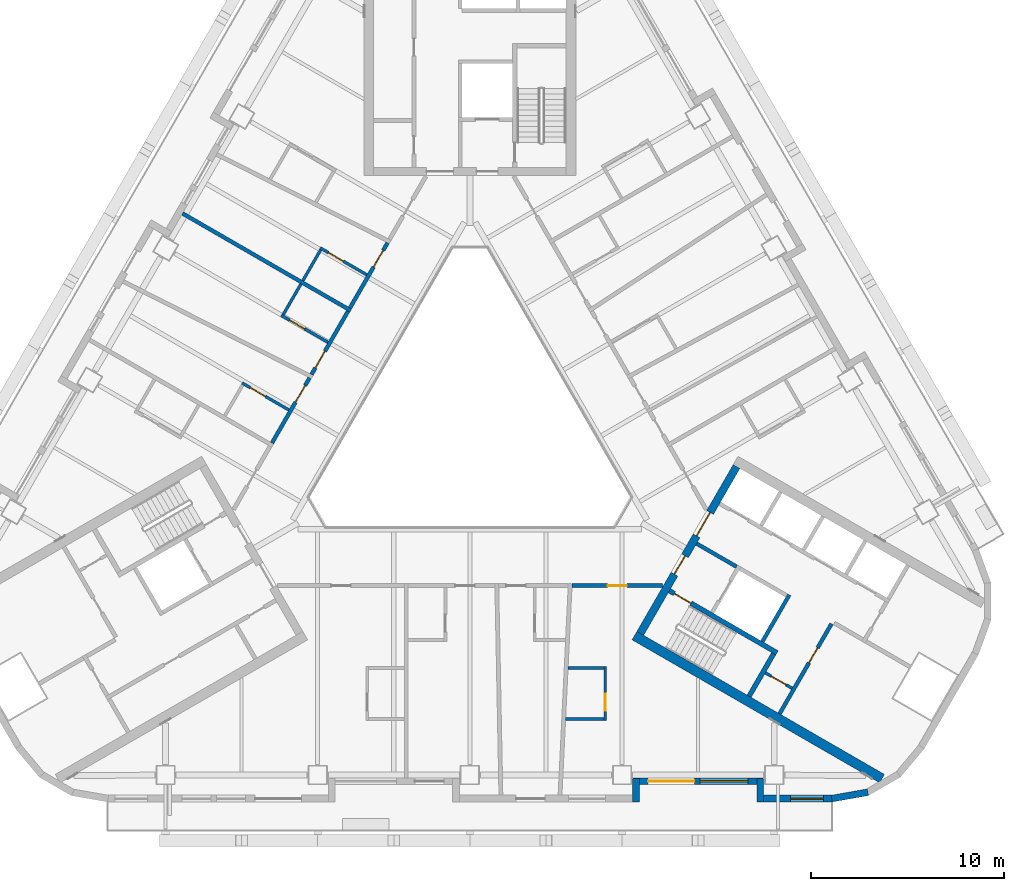
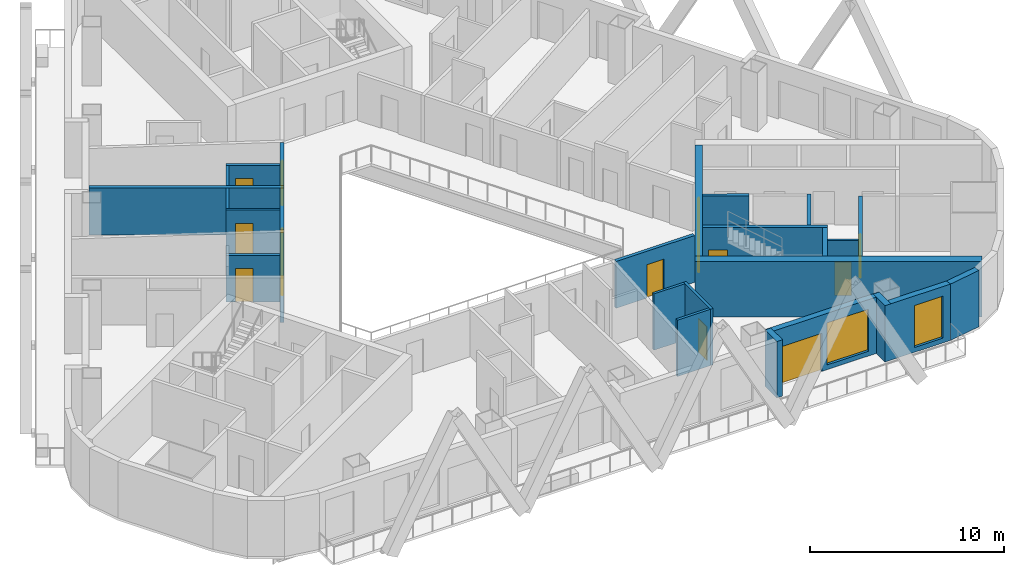
# One storey, part 7 of 17: 26 walls, 14 doors, 2 windows, 16 openings.
"""IFC4 building model written with IfcOpenShell, lengths in metres."""

from ifc_helpers import new_model, si_unit, direction, frame, frame_2d, origin, place, context, subcontext, project, spatial, rectangle, extrude, material, layer, layer_set, type_object, element, fill, save


model = new_model("IFC4")

# Units and contexts
model_context = context("Model", 3, precision=1e-05, world=origin(), true_north=direction((0.0, 1.0)))
body_context = subcontext(model_context, "Body", "Model", "MODEL_VIEW")
ifc_project = project(units=[si_unit("LENGTHUNIT", "METRE"), si_unit("AREAUNIT", "SQUARE_METRE"), si_unit("VOLUMEUNIT", "CUBIC_METRE"), si_unit("PLANEANGLEUNIT", "RADIAN"), si_unit("MASSUNIT", "GRAM", prefix="KILO")], contexts=[model_context])

# Site, building, storey
site_placement = place(None, origin())
site = spatial("IfcSite", under=ifc_project, at=site_placement, CompositionType="ELEMENT")
building_placement = place(site_placement, origin())
building = spatial("IfcBuilding", under=site, at=building_placement, Name="Apuvela Tower Hotel", CompositionType="ELEMENT")
storey_placement = place(building_placement, frame((0.0, 0.0, 46.5)))
storey = spatial("IfcBuildingStorey", under=building, at=storey_placement, Name="L08", CompositionType="ELEMENT", Elevation=46.5)

# Wall, openings, doors
ifc_material_1 = material(Name="Concrete C50/60", Category="concrete")
ifc_layer_1 = layer(ifc_material_1, 0.39990234375)
ifc_layer_set_1 = layer_set([ifc_layer_1], Name="COR-WALL-CORE-400")
wall_type_1 = type_object("IfcWallType", Name="COR-WALL-CORE-400", PredefinedType="SHEAR", material=ifc_layer_set_1)
wall_1_placement = place(storey_placement, frame((8.844970703125, -10.880126953125, 0.0), z_axis=(0.0, 0.0, 1.0), x_axis=(0.500004234368, 0.866022959057, 0.0)))
wall_1 = element("IfcWall", 1, at=wall_1_placement, inside=storey, type_object=wall_type_1, Name="Core wall SE", PredefinedType="SHEAR", context=body_context, shape_type="SweptSolid", body=[
    extrude(rectangle(XDim=10.0, YDim=0.39990234375, at=frame_2d((5.0, 0.0))), origin(), (0.0, 0.0, 1.0), 3.5),
])
opening_1_placement = place(wall_1_placement, frame((3.550048828125, 0.0, 0.0)))
opening_1 = element("IfcOpeningElement", 2, at=opening_1_placement, cuts=wall_1, Name="Opening E-FD", PredefinedType="OPENING", context=body_context, shape_type="SweptSolid", body=[
    extrude(rectangle(XDim=1.10009765625, YDim=2.10009765625, at=frame_2d((0.550048828125, 1.050048828125))), frame((0.0, 0.2099609375, 0.0), z_axis=(0.0, -1.0, 0.0), x_axis=(1.0, 0.0, 0.0)), (0.0, 0.0, 1.0), 0.419921875),
])
opening_2_placement = place(wall_1_placement, frame((5.85009765625, 0.0, 0.0)))
opening_2 = element("IfcOpeningElement", 3, at=opening_2_placement, cuts=wall_1, Name="Opening E-GD", PredefinedType="OPENING", context=body_context, shape_type="SweptSolid", body=[
    extrude(rectangle(XDim=1.39990234375, YDim=2.10009765625, at=frame_2d((0.699951171875, 1.050048828125))), frame((0.0, 0.2099609375, 0.0), z_axis=(0.0, -1.0, 0.0), x_axis=(1.0, 0.0, 0.0)), (0.0, 0.0, 1.0), 0.419921875),
])
ifc_material_2 = material(Name="Steel fire door, powder coated", Category="steel")
door_type_1 = type_object("IfcDoorType", Name="COR-FD-1100", OperationType="NOTDEFINED", PredefinedType="DOOR", material=ifc_material_2)
door_1_placement = place(opening_1_placement, frame((1.10009765625, 0.0, 0.0), z_axis=(0.0, 0.0, 1.0), x_axis=(-1.0, 0.0, 0.0)))
door_1 = element("IfcDoor", 4, at=door_1_placement, inside=storey, type_object=door_type_1, Name="Firefighting lobby door E-FD", OperationType="SINGLE_SWING_LEFT", OverallHeight=2.10009765625, OverallWidth=1.10009765625, PredefinedType="DOOR", context=body_context, shape_type="SweptSolid", body=[
    extrude(rectangle(XDim=1.10009765625, YDim=2.10009765625, at=frame_2d((0.550048828125, 1.050048828125))), frame((0.0, 0.02490234375, 0.0), z_axis=(0.0, -1.0, 0.0), x_axis=(1.0, 0.0, 0.0)), (0.0, 0.0, 1.0), 0.050048828125),
])
fill(opening_1, door_1)
ifc_material_3 = material(Name="Glazed steel fire door", Category="steel")
door_type_2 = type_object("IfcDoorType", Name="COR-GD-1400", OperationType="DOUBLE_DOOR_SINGLE_SWING", PredefinedType="DOOR", material=ifc_material_3)
door_2_placement = place(opening_2_placement, frame((1.39990234375, 0.0, 0.0), z_axis=(0.0, 0.0, 1.0), x_axis=(-1.0, 0.0, 0.0)))
door_2 = element("IfcDoor", 5, at=door_2_placement, inside=storey, type_object=door_type_2, Name="Lift lobby door E-GD", OperationType="DOUBLE_DOOR_SINGLE_SWING", OverallHeight=2.10009765625, OverallWidth=1.39990234375, PredefinedType="DOOR", context=body_context, shape_type="SweptSolid", body=[
    extrude(rectangle(XDim=1.39990234375, YDim=2.10009765625, at=frame_2d((0.699951171875, 1.050048828125))), frame((0.0, 0.02490234375, 0.0), z_axis=(0.0, -1.0, 0.0), x_axis=(1.0, 0.0, 0.0)), (0.0, 0.0, 1.0), 0.050048828125),
])
fill(opening_2, door_2)

# Wall
ifc_layer_2 = layer(ifc_material_1, 0.5)
ifc_layer_set_2 = layer_set([ifc_layer_2], Name="COR-WALL-CORE-500")
wall_type_2 = type_object("IfcWallType", Name="COR-WALL-CORE-500", PredefinedType="SHEAR", material=ifc_layer_set_2)
wall_2_placement = place(storey_placement, frame((8.546630859375, -10.99658203125, 0.0), z_axis=(0.0, 0.0, 1.0), x_axis=(0.866025009528, -0.500000682871, 0.0)))
element("IfcWall", 6, at=wall_2_placement, inside=storey, type_object=wall_type_2, Name="Core wall SE", PredefinedType="SHEAR", context=body_context, shape_type="SweptSolid", body=[
    extrude(rectangle(XDim=14.8369140625, YDim=0.5, at=frame_2d((7.41845703125, 0.0))), origin(), (0.0, 0.0, 1.0), 3.5),
])

# Wall, opening, door
ifc_material_4 = material(Name="Blockwork 150 mm plastered", Category="masonry")
ifc_layer_3 = layer(ifc_material_4, 0.14990234375)
ifc_layer_set_3 = layer_set([ifc_layer_3], Name="COR-WALL-PART-150")
wall_type_3 = type_object("IfcWallType", Name="COR-WALL-PART-150", PredefinedType="PARTITIONING", material=ifc_layer_set_3)
wall_3_placement = place(storey_placement, frame((15.341552734375, -12.927734375, 0.0), z_axis=(0.0, 0.0, 1.0), x_axis=(0.865989903783, -0.500061482766, 0.0)))
wall_3 = element("IfcWall", 7, at=wall_3_placement, inside=storey, type_object=wall_type_3, Name="Partition SE", PredefinedType="PARTITIONING", context=body_context, shape_type="SweptSolid", body=[
    extrude(rectangle(XDim=1.599853515625, YDim=0.14990234375, at=frame_2d((0.7998046875, 0.0))), origin(), (0.0, 0.0, 1.0), 3.5),
])
opening_3_placement = place(wall_3_placement, frame((0.35009765625, 0.0, 0.0)))
opening_3 = element("IfcOpeningElement", 8, at=opening_3_placement, cuts=wall_3, Name="Opening E-RD", PredefinedType="OPENING", context=body_context, shape_type="SweptSolid", body=[
    extrude(rectangle(XDim=0.89990234375, YDim=2.10009765625, at=frame_2d((0.449951171875, 1.050048828125))), frame((0.0, 0.0849609375, 0.0), z_axis=(0.0, -1.0, 0.0), x_axis=(1.0, 0.0, 0.0)), (0.0, 0.0, 1.0), 0.169921875),
])
ifc_material_5 = material(Name="Steel access door, powder coated", Category="steel")
door_type_3 = type_object("IfcDoorType", Name="COR-RD-900", OperationType="NOTDEFINED", PredefinedType="DOOR", material=ifc_material_5)
door_3_placement = place(opening_3_placement, frame((0.89990234375, 0.0, 0.0), z_axis=(0.0, 0.0, 1.0), x_axis=(-1.0, 0.0, 0.0)))
door_3 = element("IfcDoor", 9, at=door_3_placement, inside=storey, type_object=door_type_3, Name="Riser door E-RD", OperationType="SINGLE_SWING_LEFT", OverallHeight=2.10009765625, OverallWidth=0.89990234375, PredefinedType="DOOR", context=body_context, shape_type="SweptSolid", body=[
    extrude(rectangle(XDim=0.89990234375, YDim=2.10009765625, at=frame_2d((0.449951171875, 1.050048828125))), frame((0.0, 0.02490234375, 0.0), z_axis=(0.0, -1.0, 0.0), x_axis=(1.0, 0.0, 0.0)), (0.0, 0.0, 1.0), 0.050048828125),
])
fill(opening_3, door_3)

ifc_material_6 = material(Name="Blockwork 200 mm plastered", Category="masonry")
ifc_layer_4 = layer(ifc_material_6, 0.199951171875)
ifc_layer_set_4 = layer_set([ifc_layer_4], Name="COR-WALL-PART-200")
wall_type_4 = type_object("IfcWallType", Name="COR-WALL-PART-200", PredefinedType="PARTITIONING", material=ifc_layer_set_4)
wall_4_placement = place(storey_placement, frame((16.076171875, -15.05517578125, 0.0), z_axis=(0.0, 0.0, 1.0), x_axis=(0.499995103361, 0.866028230842, 0.0)))
wall_4 = element("IfcWall", 10, at=wall_4_placement, inside=storey, type_object=wall_type_4, Name="Partition SE", PredefinedType="PARTITIONING", context=body_context, shape_type="SweptSolid", body=[
    extrude(rectangle(XDim=5.39990234375, YDim=0.199951171875, at=frame_2d((2.699951171875, 0.0))), origin(), (0.0, 0.0, 1.0), 3.5),
])
opening_4_placement = place(wall_4_placement, frame((3.050048828125, 0.0, 0.0)))
opening_4 = element("IfcOpeningElement", 11, at=opening_4_placement, cuts=wall_4, Name="Opening E-RS1", PredefinedType="OPENING", context=body_context, shape_type="SweptSolid", body=[
    extrude(rectangle(XDim=0.89990234375, YDim=2.10009765625, at=frame_2d((0.449951171875, 1.050048828125))), frame((0.0, 0.10986328125, 0.0), z_axis=(0.0, -1.0, 0.0), x_axis=(1.0, 0.0, 0.0)), (0.0, 0.0, 1.0), 0.219970703125),
])
door_type_4 = type_object("IfcDoorType", Name="COR-DR-900", OperationType="NOTDEFINED", PredefinedType="DOOR", material=ifc_material_2)
door_4_placement = place(opening_4_placement, frame((0.89990234375, 0.0, 0.0), z_axis=(0.0, 0.0, 1.0), x_axis=(-1.0, 0.0, 0.0)))
door_4 = element("IfcDoor", 12, at=door_4_placement, inside=storey, type_object=door_type_4, Name="Store door E-RS1", OperationType="SINGLE_SWING_LEFT", OverallHeight=2.10009765625, OverallWidth=0.89990234375, PredefinedType="DOOR", context=body_context, shape_type="SweptSolid", body=[
    extrude(rectangle(XDim=0.89990234375, YDim=2.10009765625, at=frame_2d((0.449951171875, 1.050048828125))), frame((0.0, 0.02490234375, 0.0), z_axis=(0.0, -1.0, 0.0), x_axis=(1.0, 0.0, 0.0)), (0.0, 0.0, 1.0), 0.050048828125),
])
fill(opening_4, door_4)

# Walls
ifc_layer_5 = layer(ifc_material_1, 0.199951171875)
ifc_layer_set_5 = layer_set([ifc_layer_5], Name="COR-WALL-SHAFT-200")
wall_type_5 = type_object("IfcWallType", Name="COR-WALL-SHAFT-200", PredefinedType="SHEAR", material=ifc_layer_set_5)
wall_5_placement = place(storey_placement, frame((15.181396484375, -11.305419921875, 0.0), z_axis=(0.0, 0.0, 1.0), x_axis=(0.49994636267, 0.866056369097, 0.0)))
element("IfcWall", 13, at=wall_5_placement, inside=storey, type_object=wall_type_5, Name="Shaft wall SE", PredefinedType="SHEAR", context=body_context, shape_type="SweptSolid", body=[
    extrude(rectangle(XDim=2.800048828125, YDim=0.199951171875, at=frame_2d((1.39990234375, 0.0))), origin(), (0.0, 0.0, 1.0), 3.5),
])
wall_6_placement = place(storey_placement, frame((11.76806640625, -6.217041015625, 0.0), z_axis=(0.0, 0.0, 1.0), x_axis=(0.866050077142, -0.499957262057, 0.0)))
element("IfcWall", 14, at=wall_6_placement, inside=storey, type_object=wall_type_5, Name="Shaft wall SE", PredefinedType="SHEAR", context=body_context, shape_type="SweptSolid", body=[
    extrude(rectangle(XDim=2.400146484375, YDim=0.199951171875, at=frame_2d((1.2001953125, 0.0))), origin(), (0.0, 0.0, 1.0), 3.5),
])

# Wall, opening, door
ifc_layer_6 = layer(ifc_material_1, 0.25)
ifc_layer_set_6 = layer_set([ifc_layer_6], Name="COR-WALL-STAIR-250")
wall_type_6 = type_object("IfcWallType", Name="COR-WALL-STAIR-250", PredefinedType="SHEAR", material=ifc_layer_set_6)
wall_7_placement = place(storey_placement, frame((10.355712890625, -8.66357421875, 0.0), z_axis=(0.0, 0.0, 1.0), x_axis=(0.866028629588, -0.499994412703, 0.0)))
wall_7 = element("IfcWall", 15, at=wall_7_placement, inside=storey, type_object=wall_type_6, Name="Stair wall SE", PredefinedType="SHEAR", context=body_context, shape_type="SweptSolid", body=[
    extrude(rectangle(XDim=6.44970703125, YDim=0.25, at=frame_2d((3.224853515625, 0.0))), origin(), (0.0, 0.0, 1.0), 3.5),
])
opening_5_placement = place(wall_7_placement, frame((0.300048828125, 0.0, 0.0)))
opening_5 = element("IfcOpeningElement", 16, at=opening_5_placement, cuts=wall_7, Name="Opening E-SD", PredefinedType="OPENING", context=body_context, shape_type="SweptSolid", body=[
    extrude(rectangle(XDim=1.0, YDim=2.10009765625, at=frame_2d((0.5, 1.050048828125))), frame((0.0, 0.135009765625, 0.0), z_axis=(0.0, -1.0, 0.0), x_axis=(1.0, 0.0, 0.0)), (0.0, 0.0, 1.0), 0.27001953125),
])
door_type_5 = type_object("IfcDoorType", Name="COR-SD-1000", OperationType="NOTDEFINED", PredefinedType="DOOR", material=ifc_material_2)
door_5_placement = place(opening_5_placement, frame((1.0, 0.0, 0.0), z_axis=(0.0, 0.0, 1.0), x_axis=(-1.0, 0.0, 0.0)))
door_5 = element("IfcDoor", 17, at=door_5_placement, inside=storey, type_object=door_type_5, Name="Stair door E-SD", OperationType="SINGLE_SWING_LEFT", OverallHeight=2.10009765625, OverallWidth=1.0, PredefinedType="DOOR", context=body_context, shape_type="SweptSolid", body=[
    extrude(rectangle(XDim=1.0, YDim=2.10009765625, at=frame_2d((0.5, 1.050048828125))), frame((0.0, 0.02490234375, 0.0), z_axis=(0.0, -1.0, 0.0), x_axis=(1.0, 0.0, 0.0)), (0.0, 0.0, 1.0), 0.050048828125),
])
fill(opening_5, door_5)

# Walls
wall_8_placement = place(storey_placement, frame((14.49560546875, -14.142578125, 0.0), z_axis=(0.0, 0.0, 1.0), x_axis=(0.500062241894, 0.865989465428, 0.0)))
element("IfcWall", 18, at=wall_8_placement, inside=storey, type_object=wall_type_6, Name="Stair wall SE", PredefinedType="SHEAR", context=body_context, shape_type="SweptSolid", body=[
    extrude(rectangle(XDim=2.550048828125, YDim=0.25, at=frame_2d((1.27490234375, 0.0))), origin(), (0.0, 0.0, 1.0), 3.5),
])
ifc_material_7 = material(Name="Concrete C40/50, dark pigmented precast panel", Category="concrete")
ifc_layer_7 = layer(ifc_material_7, 0.35009765625)
ifc_layer_set_7 = layer_set([ifc_layer_7], Name="ENV-WALL-350")
wall_type_7 = type_object("IfcWallType", Name="ENV-WALL-350", PredefinedType="SOLIDWALL", material=ifc_layer_set_7)
wall_9_placement = place(storey_placement, frame((8.625, -19.6298828125, 0.0), z_axis=(0.0, 0.0, 1.0), x_axis=(0.0, 1.0, 0.0)))
element("IfcWall", 19, at=wall_9_placement, inside=storey, type_object=wall_type_7, Name="External wall L08-22", PredefinedType="SOLIDWALL", context=body_context, shape_type="SweptSolid", body=[
    extrude(rectangle(XDim=1.219970703125, YDim=0.35009765625, at=frame_2d((0.60986328125, 0.0))), origin(), (0.0, 0.0, 1.0), 3.550048828125),
])

# Wall, openings, door, window
wall_10_placement = place(storey_placement, frame((8.47998046875, -18.554931640625, 0.0), z_axis=(0.0, 0.0, 1.0), x_axis=(1.0, 0.0, 0.0)))
wall_10 = element("IfcWall", 20, at=wall_10_placement, inside=storey, type_object=wall_type_7, Name="External wall L08-23", PredefinedType="SOLIDWALL", context=body_context, shape_type="SweptSolid", body=[
    extrude(rectangle(XDim=6.739990234375, YDim=0.35009765625, at=frame_2d((3.3701171875, 0.0))), origin(), (0.0, 0.0, 1.0), 3.550048828125),
])
opening_6_placement = place(wall_10_placement, frame((0.77001953125, 0.0, 0.0)))
opening_6 = element("IfcOpeningElement", 21, at=opening_6_placement, cuts=wall_10, Name="Opening BD24", PredefinedType="OPENING", context=body_context, shape_type="SweptSolid", body=[
    extrude(rectangle(XDim=2.39990234375, YDim=2.39990234375, at=frame_2d((1.199951171875, 1.199951171875))), frame((0.0, 0.18505859375, 0.0), z_axis=(0.0, -1.0, 0.0), x_axis=(1.0, 0.0, 0.0)), (0.0, 0.0, 1.0), 0.3701171875),
])
opening_7_placement = place(wall_10_placement, frame((3.469970703125, 0.0, 0.300048828125)))
opening_7 = element("IfcOpeningElement", 22, at=opening_7_placement, cuts=wall_10, Name="Opening WN25", PredefinedType="OPENING", context=body_context, shape_type="SweptSolid", body=[
    extrude(rectangle(XDim=2.5, YDim=2.64990234375, at=frame_2d((1.25, 1.324951171875))), frame((0.0, 0.18505859375, 0.0), z_axis=(0.0, -1.0, 0.0), x_axis=(1.0, 0.0, 0.0)), (0.0, 0.0, 1.0), 0.3701171875),
])
ifc_material_8 = material(Name="Aluminium 6063-T6, dark bronze anodised frame with dark tinted laminated glass", Category="aluminium")
door_type_6 = type_object("IfcDoorType", Name="ENV-DOOR-BALCONY-2400x2400", OperationType="SLIDING_TO_LEFT", PredefinedType="DOOR", material=ifc_material_8)
door_6_placement = place(opening_6_placement, frame((2.39990234375, 0.0, 0.0), z_axis=(0.0, 0.0, 1.0), x_axis=(-1.0, 0.0, 0.0)))
door_6 = element("IfcDoor", 23, at=door_6_placement, inside=storey, type_object=door_type_6, Name="Balcony door BD24", OperationType="SLIDING_TO_LEFT", OverallHeight=2.39990234375, OverallWidth=2.39990234375, PredefinedType="DOOR", context=body_context, shape_type="SweptSolid", body=[
    extrude(rectangle(XDim=2.39990234375, YDim=2.39990234375, at=frame_2d((1.199951171875, 1.199951171875))), frame((0.0, 0.02490234375, 0.0), z_axis=(0.0, -1.0, 0.0), x_axis=(1.0, 0.0, 0.0)), (0.0, 0.0, 1.0), 0.050048828125),
])
fill(opening_6, door_6)
ifc_material_9 = material(Name="Glass, dark tinted laminated insulated glazing unit", Category="glass")
window_type_1 = type_object("IfcWindowType", Name="ENV-WIN-2500x2650", PartitioningType="SINGLE_PANEL", PredefinedType="WINDOW", material=ifc_material_9)
window_1_placement = place(opening_7_placement, origin())
window_1 = element("IfcWindow", 24, at=window_1_placement, inside=storey, type_object=window_type_1, Name="Window WN25", OverallHeight=2.64990234375, OverallWidth=2.5, PartitioningType="SINGLE_PANEL", PredefinedType="WINDOW", context=body_context, shape_type="SweptSolid", body=[
    extrude(rectangle(XDim=2.5, YDim=2.64990234375, at=frame_2d((1.25, 1.324951171875))), frame((0.0, 0.030029296875, 0.0), z_axis=(0.0, -1.0, 0.0), x_axis=(1.0, 0.0, 0.0)), (0.0, 0.0, 1.0), 0.06005859375),
])
fill(opening_7, window_1)

# Wall
wall_11_placement = place(storey_placement, frame((15.074951171875, -18.409912109375, 0.0), z_axis=(0.0, 0.0, 1.0), x_axis=(0.0, -1.0, 0.0)))
element("IfcWall", 25, at=wall_11_placement, inside=storey, type_object=wall_type_7, Name="External wall L08-24", PredefinedType="SOLIDWALL", context=body_context, shape_type="SweptSolid", body=[
    extrude(rectangle(XDim=1.219970703125, YDim=0.35009765625, at=frame_2d((0.60986328125, 0.0))), origin(), (0.0, 0.0, 1.0), 3.550048828125),
])

# Wall, opening, window
wall_12_placement = place(storey_placement, frame((14.89990234375, -19.455078125, 0.0), z_axis=(0.0, 0.0, 1.0), x_axis=(1.0, 0.0, 0.0)))
wall_12 = element("IfcWall", 26, at=wall_12_placement, inside=storey, type_object=wall_type_7, Name="External wall L08-25", PredefinedType="SOLIDWALL", context=body_context, shape_type="SweptSolid", body=[
    extrude(rectangle(XDim=3.916015625, YDim=0.35009765625, at=frame_2d((1.9580078125, 0.0))), origin(), (0.0, 0.0, 1.0), 3.550048828125),
])
opening_8_placement = place(wall_12_placement, frame((1.749755859375, 0.0, 0.300048828125)))
opening_8 = element("IfcOpeningElement", 27, at=opening_8_placement, cuts=wall_12, Name="Opening WN17", PredefinedType="OPENING", context=body_context, shape_type="SweptSolid", body=[
    extrude(rectangle(XDim=1.699951171875, YDim=2.64990234375, at=frame_2d((0.85009765625, 1.324951171875))), frame((0.0, 0.18505859375, 0.0), z_axis=(0.0, -1.0, 0.0), x_axis=(1.0, 0.0, 0.0)), (0.0, 0.0, 1.0), 0.3701171875),
])
window_type_2 = type_object("IfcWindowType", Name="ENV-WIN-1700x2650", PartitioningType="SINGLE_PANEL", PredefinedType="WINDOW", material=ifc_material_9)
window_2_placement = place(opening_8_placement, origin())
window_2 = element("IfcWindow", 28, at=window_2_placement, inside=storey, type_object=window_type_2, Name="Window WN17", OverallHeight=2.64990234375, OverallWidth=1.699951171875, PartitioningType="SINGLE_PANEL", PredefinedType="WINDOW", context=body_context, shape_type="SweptSolid", body=[
    extrude(rectangle(XDim=1.699951171875, YDim=2.64990234375, at=frame_2d((0.85009765625, 1.324951171875))), frame((0.0, 0.030029296875, 0.0), z_axis=(0.0, -1.0, 0.0), x_axis=(1.0, 0.0, 0.0)), (0.0, 0.0, 1.0), 0.06005859375),
])
fill(opening_8, window_2)

# Walls
wall_13_placement = place(storey_placement, frame((18.785400390625, -19.457763671875, 0.0), z_axis=(0.0, 0.0, 1.0), x_axis=(0.984798995425, 0.173697837091, 0.0)))
element("IfcWall", 29, at=wall_13_placement, inside=storey, type_object=wall_type_7, Name="External wall L08-26", PredefinedType="SOLIDWALL", context=body_context, shape_type="SweptSolid", body=[
    extrude(rectangle(XDim=1.91015625, YDim=0.35009765625, at=frame_2d((0.955078125, 0.0))), origin(), (0.0, 0.0, 1.0), 3.550048828125),
])
ifc_material_10 = material(Name="Gypsum board partition on twin steel stud", Category="steel")
ifc_layer_8 = layer(ifc_material_10, 0.199951171875)
ifc_layer_set_8 = layer_set([ifc_layer_8], Name="GST-PW1")
wall_type_8 = type_object("IfcWallType", Name="GST-PW1", PredefinedType="PARTITIONING", material=ifc_layer_set_8)
wall_14_placement = place(storey_placement, frame((-14.91748046875, 10.922119140625, 0.0), z_axis=(0.0, 0.0, 1.0), x_axis=(0.866022637375, -0.500004791531, 0.0)))
element("IfcWall", 30, at=wall_14_placement, inside=storey, type_object=wall_type_8, Name="L08 partition 09", PredefinedType="PARTITIONING", context=body_context, shape_type="SweptSolid", body=[
    extrude(rectangle(XDim=10.080078125, YDim=0.199951171875, at=frame_2d((5.0400390625, 0.0))), origin(), (0.0, 0.0, 1.0), 2.9599609375),
])

# Wall, opening, door
ifc_material_11 = material(Name="Gypsum board corridor wall on twin steel stud, acoustic", Category="steel")
ifc_layer_9 = layer(ifc_material_11, 0.199951171875)
ifc_layer_set_9 = layer_set([ifc_layer_9], Name="GST-PW2")
wall_type_9 = type_object("IfcWallType", Name="GST-PW2", PredefinedType="PARTITIONING", material=ifc_layer_set_9)
wall_15_placement = place(storey_placement, frame((9.98828125, -8.39990234375, 0.0), z_axis=(0.0, 0.0, 1.0), x_axis=(-1.0, 0.0, 0.0)))
wall_15 = element("IfcWall", 31, at=wall_15_placement, inside=storey, type_object=wall_type_9, Name="L08 partition 22", PredefinedType="PARTITIONING", context=body_context, shape_type="SweptSolid", body=[
    extrude(rectangle(XDim=4.683349609375, YDim=0.199951171875, at=frame_2d((2.341796875, 0.0))), origin(), (0.0, 0.0, 1.0), 2.949951171875),
])
opening_9_placement = place(wall_15_placement, frame((1.841796875, 0.0, 0.0)))
opening_9 = element("IfcOpeningElement", 32, at=opening_9_placement, cuts=wall_15, Name="Opening GD01-08", PredefinedType="OPENING", context=body_context, shape_type="SweptSolid", body=[
    extrude(rectangle(XDim=1.0, YDim=2.10009765625, at=frame_2d((0.5, 1.050048828125))), frame((0.0, 0.10986328125, 0.0), z_axis=(0.0, -1.0, 0.0), x_axis=(1.0, 0.0, 0.0)), (0.0, 0.0, 1.0), 0.219970703125),
])
ifc_material_12 = material(Name="Timber door leaf in steel frame", Category="steel")
door_type_7 = type_object("IfcDoorType", Name="GST-D1", OperationType="NOTDEFINED", PredefinedType="DOOR", material=ifc_material_12)
door_7_placement = place(opening_9_placement, origin())
door_7 = element("IfcDoor", 33, at=door_7_placement, inside=storey, type_object=door_type_7, Name="Door L08-08", OperationType="SINGLE_SWING_RIGHT", OverallHeight=2.10009765625, OverallWidth=1.0, PredefinedType="DOOR", context=body_context, shape_type="SweptSolid", body=[
    extrude(rectangle(XDim=1.0, YDim=2.10009765625, at=frame_2d((0.5, 1.050048828125))), frame((0.0, 0.02490234375, 0.0), z_axis=(0.0, -1.0, 0.0), x_axis=(1.0, 0.0, 0.0)), (0.0, 0.0, 1.0), 0.050048828125),
])
fill(opening_9, door_7)

wall_16_placement = place(storey_placement, frame((-6.224609375, 6.018798828125, 0.0), z_axis=(0.0, 0.0, 1.0), x_axis=(0.499998439657, 0.866026304647, 0.0)))
wall_16 = element("IfcWall", 34, at=wall_16_placement, inside=storey, type_object=wall_type_9, Name="L08 partition 47", PredefinedType="PARTITIONING", context=body_context, shape_type="SweptSolid", body=[
    extrude(rectangle(XDim=3.9052734375, YDim=0.199951171875, at=frame_2d((1.95263671875, 0.0))), origin(), (0.0, 0.0, 1.0), 2.949951171875),
])
opening_10_placement = place(wall_16_placement, frame((2.449951171875, 0.0, 0.0)))
opening_10 = element("IfcOpeningElement", 35, at=opening_10_placement, cuts=wall_16, Name="Opening GD01-22", PredefinedType="OPENING", context=body_context, shape_type="SweptSolid", body=[
    extrude(rectangle(XDim=1.0, YDim=2.10009765625, at=frame_2d((0.5, 1.050048828125))), frame((0.0, 0.10986328125, 0.0), z_axis=(0.0, -1.0, 0.0), x_axis=(1.0, 0.0, 0.0)), (0.0, 0.0, 1.0), 0.219970703125),
])
door_8_placement = place(opening_10_placement, origin())
door_8 = element("IfcDoor", 36, at=door_8_placement, inside=storey, type_object=door_type_7, Name="Door L08-22", OperationType="SINGLE_SWING_RIGHT", OverallHeight=2.10009765625, OverallWidth=1.0, PredefinedType="DOOR", context=body_context, shape_type="SweptSolid", body=[
    extrude(rectangle(XDim=1.0, YDim=2.10009765625, at=frame_2d((0.5, 1.050048828125))), frame((0.0, 0.02490234375, 0.0), z_axis=(0.0, -1.0, 0.0), x_axis=(1.0, 0.0, 0.0)), (0.0, 0.0, 1.0), 0.050048828125),
])
fill(opening_10, door_8)

wall_17_placement = place(storey_placement, frame((-8.2216796875, 2.5595703125, 0.0), z_axis=(0.0, 0.0, 1.0), x_axis=(0.499973105789, 0.866040930607, 0.0)))
wall_17 = element("IfcWall", 37, at=wall_17_placement, inside=storey, type_object=wall_type_9, Name="L08 partition 50", PredefinedType="PARTITIONING", context=body_context, shape_type="SweptSolid", body=[
    extrude(rectangle(XDim=3.794189453125, YDim=0.199951171875, at=frame_2d((1.89697265625, 0.0))), origin(), (0.0, 0.0, 1.0), 2.949951171875),
])
opening_11_placement = place(wall_17_placement, frame((0.39990234375, 0.0, 0.0)))
opening_11 = element("IfcOpeningElement", 38, at=opening_11_placement, cuts=wall_17, Name="Opening GD01-24", PredefinedType="OPENING", context=body_context, shape_type="SweptSolid", body=[
    extrude(rectangle(XDim=1.0, YDim=2.10009765625, at=frame_2d((0.5, 1.050048828125))), frame((0.0, 0.10986328125, 0.0), z_axis=(0.0, -1.0, 0.0), x_axis=(1.0, 0.0, 0.0)), (0.0, 0.0, 1.0), 0.219970703125),
])
door_9_placement = place(opening_11_placement, origin())
door_9 = element("IfcDoor", 39, at=door_9_placement, inside=storey, type_object=door_type_7, Name="Door L08-24", OperationType="SINGLE_SWING_LEFT", OverallHeight=2.10009765625, OverallWidth=1.0, PredefinedType="DOOR", context=body_context, shape_type="SweptSolid", body=[
    extrude(rectangle(XDim=1.0, YDim=2.10009765625, at=frame_2d((0.5, 1.050048828125))), frame((0.0, 0.02490234375, 0.0), z_axis=(0.0, -1.0, 0.0), x_axis=(1.0, 0.0, 0.0)), (0.0, 0.0, 1.0), 0.050048828125),
])
fill(opening_11, door_9)

wall_18_placement = place(storey_placement, frame((-10.274658203125, -0.99609375, 0.0), z_axis=(0.0, 0.0, 1.0), x_axis=(0.499998439657, 0.866026304647, 0.0)))
wall_18 = element("IfcWall", 40, at=wall_18_placement, inside=storey, type_object=wall_type_9, Name="L08 partition 53", PredefinedType="PARTITIONING", context=body_context, shape_type="SweptSolid", body=[
    extrude(rectangle(XDim=3.9052734375, YDim=0.199951171875, at=frame_2d((1.95263671875, 0.0))), origin(), (0.0, 0.0, 1.0), 2.949951171875),
])
opening_12_placement = place(wall_18_placement, frame((2.449951171875, 0.0, 0.0)))
opening_12 = element("IfcOpeningElement", 41, at=opening_12_placement, cuts=wall_18, Name="Opening GD01-26", PredefinedType="OPENING", context=body_context, shape_type="SweptSolid", body=[
    extrude(rectangle(XDim=1.0, YDim=2.10009765625, at=frame_2d((0.5, 1.050048828125))), frame((0.0, 0.10986328125, 0.0), z_axis=(0.0, -1.0, 0.0), x_axis=(1.0, 0.0, 0.0)), (0.0, 0.0, 1.0), 0.219970703125),
])
door_10_placement = place(opening_12_placement, origin())
door_10 = element("IfcDoor", 42, at=door_10_placement, inside=storey, type_object=door_type_7, Name="Door L08-26", OperationType="SINGLE_SWING_RIGHT", OverallHeight=2.10009765625, OverallWidth=1.0, PredefinedType="DOOR", context=body_context, shape_type="SweptSolid", body=[
    extrude(rectangle(XDim=1.0, YDim=2.10009765625, at=frame_2d((0.5, 1.050048828125))), frame((0.0, 0.02490234375, 0.0), z_axis=(0.0, -1.0, 0.0), x_axis=(1.0, 0.0, 0.0)), (0.0, 0.0, 1.0), 0.050048828125),
])
fill(opening_12, door_10)

ifc_material_13 = material(Name="Moisture-resistant gypsum board wet wall on steel stud", Category="steel")
ifc_layer_10 = layer(ifc_material_13, 0.14990234375)
ifc_layer_set_10 = layer_set([ifc_layer_10], Name="GST-PW3")
wall_type_10 = type_object("IfcWallType", Name="GST-PW3", PredefinedType="PARTITIONING", material=ifc_layer_set_10)
wall_19_placement = place(storey_placement, frame((7.02734375, -15.39990234375, 0.0), z_axis=(0.0, 0.0, 1.0), x_axis=(0.0, 1.0, 0.0)))
wall_19 = element("IfcWall", 43, at=wall_19_placement, inside=storey, type_object=wall_type_10, Name="L08 partition 23", PredefinedType="PARTITIONING", context=body_context, shape_type="SweptSolid", body=[
    extrude(rectangle(XDim=2.7998046875, YDim=0.14990234375, at=frame_2d((1.39990234375, 0.0))), origin(), (0.0, 0.0, 1.0), 3.550048828125),
])
opening_13_placement = place(wall_19_placement, frame((0.5, 0.0, 0.0)))
opening_13 = element("IfcOpeningElement", 44, at=opening_13_placement, cuts=wall_19, Name="Opening GD01-07", PredefinedType="OPENING", context=body_context, shape_type="SweptSolid", body=[
    extrude(rectangle(XDim=0.89990234375, YDim=2.10009765625, at=frame_2d((0.449951171875, 1.050048828125))), frame((0.0, 0.0849609375, 0.0), z_axis=(0.0, -1.0, 0.0), x_axis=(1.0, 0.0, 0.0)), (0.0, 0.0, 1.0), 0.169921875),
])
door_type_8 = type_object("IfcDoorType", Name="GST-D2", OperationType="NOTDEFINED", PredefinedType="DOOR", material=ifc_material_12)
door_11_placement = place(opening_13_placement, origin())
door_11 = element("IfcDoor", 45, at=door_11_placement, inside=storey, type_object=door_type_8, Name="Door L08-07", OperationType="SINGLE_SWING_LEFT", OverallHeight=2.10009765625, OverallWidth=0.89990234375, PredefinedType="DOOR", context=body_context, shape_type="SweptSolid", body=[
    extrude(rectangle(XDim=0.89990234375, YDim=2.10009765625, at=frame_2d((0.449951171875, 1.050048828125))), frame((0.0, 0.02490234375, 0.0), z_axis=(0.0, -1.0, 0.0), x_axis=(1.0, 0.0, 0.0)), (0.0, 0.0, 1.0), 0.050048828125),
])
fill(opening_13, door_11)

# Walls
wall_20_placement = place(storey_placement, frame((4.970947265625, -15.324951171875, 0.0), z_axis=(0.0, 0.0, 1.0), x_axis=(1.0, 0.0, 0.0)))
element("IfcWall", 46, at=wall_20_placement, inside=storey, type_object=wall_type_10, Name="L08 partition 24", PredefinedType="PARTITIONING", context=body_context, shape_type="SweptSolid", body=[
    extrude(rectangle(XDim=1.9814453125, YDim=0.14990234375, at=frame_2d((0.99072265625, 0.0))), origin(), (0.0, 0.0, 1.0), 3.550048828125),
])
wall_21_placement = place(storey_placement, frame((5.0986328125, -12.675048828125, 0.0), z_axis=(0.0, 0.0, 1.0), x_axis=(1.0, 0.0, 0.0)))
element("IfcWall", 47, at=wall_21_placement, inside=storey, type_object=wall_type_10, Name="L08 partition 25", PredefinedType="PARTITIONING", context=body_context, shape_type="SweptSolid", body=[
    extrude(rectangle(XDim=1.853759765625, YDim=0.14990234375, at=frame_2d((0.9267578125, 0.0))), origin(), (0.0, 0.0, 1.0), 3.550048828125),
])

# Wall, opening, door
wall_22_placement = place(storey_placement, frame((-5.3486328125, 7.73583984375, 0.0), z_axis=(0.0, 0.0, 1.0), x_axis=(-0.866056369097, 0.49994636267, 0.0)))
wall_22 = element("IfcWall", 48, at=wall_22_placement, inside=storey, type_object=wall_type_10, Name="L08 partition 48", PredefinedType="PARTITIONING", context=body_context, shape_type="SweptSolid", body=[
    extrude(rectangle(XDim=2.800048828125, YDim=0.14990234375, at=frame_2d((1.39990234375, 0.0))), origin(), (0.0, 0.0, 1.0), 2.949951171875),
])
opening_14_placement = place(wall_22_placement, frame((1.39990234375, 0.0, 0.0)))
opening_14 = element("IfcOpeningElement", 49, at=opening_14_placement, cuts=wall_22, Name="Opening GD01-21", PredefinedType="OPENING", context=body_context, shape_type="SweptSolid", body=[
    extrude(rectangle(XDim=0.89990234375, YDim=2.10009765625, at=frame_2d((0.449951171875, 1.050048828125))), frame((0.0, 0.0849609375, 0.0), z_axis=(0.0, -1.0, 0.0), x_axis=(1.0, 0.0, 0.0)), (0.0, 0.0, 1.0), 0.169921875),
])
door_12_placement = place(opening_14_placement, origin())
door_12 = element("IfcDoor", 50, at=door_12_placement, inside=storey, type_object=door_type_8, Name="Door L08-21", OperationType="SINGLE_SWING_RIGHT", OverallHeight=2.10009765625, OverallWidth=0.89990234375, PredefinedType="DOOR", context=body_context, shape_type="SweptSolid", body=[
    extrude(rectangle(XDim=0.89990234375, YDim=2.10009765625, at=frame_2d((0.449951171875, 1.050048828125))), frame((0.0, 0.02490234375, 0.0), z_axis=(0.0, -1.0, 0.0), x_axis=(1.0, 0.0, 0.0)), (0.0, 0.0, 1.0), 0.050048828125),
])
fill(opening_14, door_12)

# Wall
wall_23_placement = place(storey_placement, frame((-7.74609375, 9.033203125, 0.0), z_axis=(0.0, 0.0, 1.0), x_axis=(-0.500042316284, -0.866000971088, 0.0)))
element("IfcWall", 51, at=wall_23_placement, inside=storey, type_object=wall_type_10, Name="L08 partition 49", PredefinedType="PARTITIONING", context=body_context, shape_type="SweptSolid", body=[
    extrude(rectangle(XDim=1.849853515625, YDim=0.14990234375, at=frame_2d((0.9248046875, 0.0))), origin(), (0.0, 0.0, 1.0), 2.949951171875),
])

# Wall, opening, door
wall_24_placement = place(storey_placement, frame((-9.795654296875, 5.63330078125, 0.0), z_axis=(0.0, 0.0, 1.0), x_axis=(0.866034573852, -0.49998411664, 0.0)))
wall_24 = element("IfcWall", 52, at=wall_24_placement, inside=storey, type_object=wall_type_10, Name="L08 partition 51", PredefinedType="PARTITIONING", context=body_context, shape_type="SweptSolid", body=[
    extrude(rectangle(XDim=2.7998046875, YDim=0.14990234375, at=frame_2d((1.39990234375, 0.0))), origin(), (0.0, 0.0, 1.0), 2.949951171875),
])
opening_15_placement = place(wall_24_placement, frame((0.5, 0.0, 0.0)))
opening_15 = element("IfcOpeningElement", 53, at=opening_15_placement, cuts=wall_24, Name="Opening GD01-23", PredefinedType="OPENING", context=body_context, shape_type="SweptSolid", body=[
    extrude(rectangle(XDim=0.89990234375, YDim=2.10009765625, at=frame_2d((0.449951171875, 1.050048828125))), frame((0.0, 0.0849609375, 0.0), z_axis=(0.0, -1.0, 0.0), x_axis=(1.0, 0.0, 0.0)), (0.0, 0.0, 1.0), 0.169921875),
])
door_13_placement = place(opening_15_placement, origin())
door_13 = element("IfcDoor", 54, at=door_13_placement, inside=storey, type_object=door_type_8, Name="Door L08-23", OperationType="SINGLE_SWING_LEFT", OverallHeight=2.10009765625, OverallWidth=0.89990234375, PredefinedType="DOOR", context=body_context, shape_type="SweptSolid", body=[
    extrude(rectangle(XDim=0.89990234375, YDim=2.10009765625, at=frame_2d((0.449951171875, 1.050048828125))), frame((0.0, 0.02490234375, 0.0), z_axis=(0.0, -1.0, 0.0), x_axis=(1.0, 0.0, 0.0)), (0.0, 0.0, 1.0), 0.050048828125),
])
fill(opening_15, door_13)

# Wall
wall_25_placement = place(storey_placement, frame((-8.77099609375, 7.2578125, 0.0), z_axis=(0.0, 0.0, 1.0), x_axis=(-0.500154078321, -0.865936428347, 0.0)))
element("IfcWall", 55, at=wall_25_placement, inside=storey, type_object=wall_type_10, Name="L08 partition 52", PredefinedType="PARTITIONING", context=body_context, shape_type="SweptSolid", body=[
    extrude(rectangle(XDim=1.84423828125, YDim=0.14990234375, at=frame_2d((0.922119140625, 0.0))), origin(), (0.0, 0.0, 1.0), 2.949951171875),
])

# Wall, opening, door
wall_26_placement = place(storey_placement, frame((-9.398681640625, 0.720947265625, 0.0), z_axis=(0.0, 0.0, 1.0), x_axis=(-0.866034573852, 0.49998411664, 0.0)))
wall_26 = element("IfcWall", 56, at=wall_26_placement, inside=storey, type_object=wall_type_10, Name="L08 partition 54", PredefinedType="PARTITIONING", context=body_context, shape_type="SweptSolid", body=[
    extrude(rectangle(XDim=2.7998046875, YDim=0.14990234375, at=frame_2d((1.39990234375, 0.0))), origin(), (0.0, 0.0, 1.0), 2.949951171875),
])
opening_16_placement = place(wall_26_placement, frame((1.39990234375, 0.0, 0.0)))
opening_16 = element("IfcOpeningElement", 57, at=opening_16_placement, cuts=wall_26, Name="Opening GD01-25", PredefinedType="OPENING", context=body_context, shape_type="SweptSolid", body=[
    extrude(rectangle(XDim=0.89990234375, YDim=2.10009765625, at=frame_2d((0.449951171875, 1.050048828125))), frame((0.0, 0.0849609375, 0.0), z_axis=(0.0, -1.0, 0.0), x_axis=(1.0, 0.0, 0.0)), (0.0, 0.0, 1.0), 0.169921875),
])
door_14_placement = place(opening_16_placement, origin())
door_14 = element("IfcDoor", 58, at=door_14_placement, inside=storey, type_object=door_type_8, Name="Door L08-25", OperationType="SINGLE_SWING_RIGHT", OverallHeight=2.10009765625, OverallWidth=0.89990234375, PredefinedType="DOOR", context=body_context, shape_type="SweptSolid", body=[
    extrude(rectangle(XDim=0.89990234375, YDim=2.10009765625, at=frame_2d((0.449951171875, 1.050048828125))), frame((0.0, 0.02490234375, 0.0), z_axis=(0.0, -1.0, 0.0), x_axis=(1.0, 0.0, 0.0)), (0.0, 0.0, 1.0), 0.050048828125),
])
fill(opening_16, door_14)

save(model, "model.ifc")
